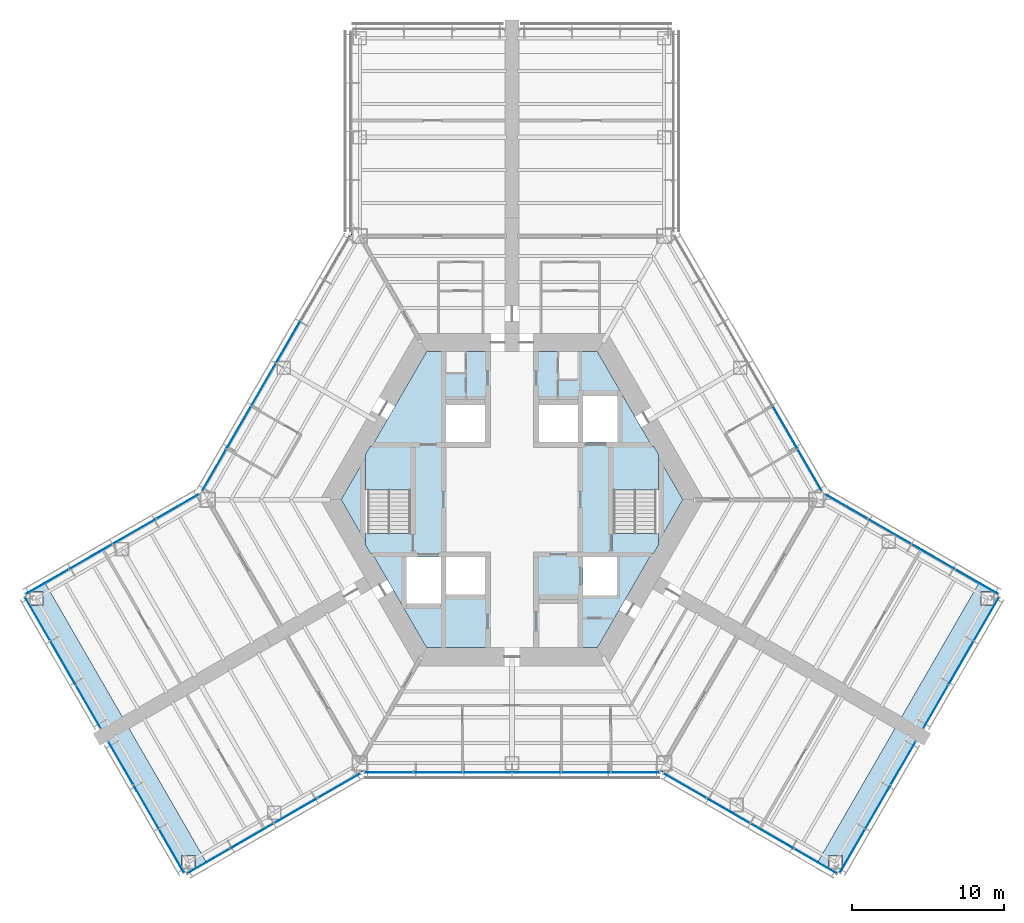
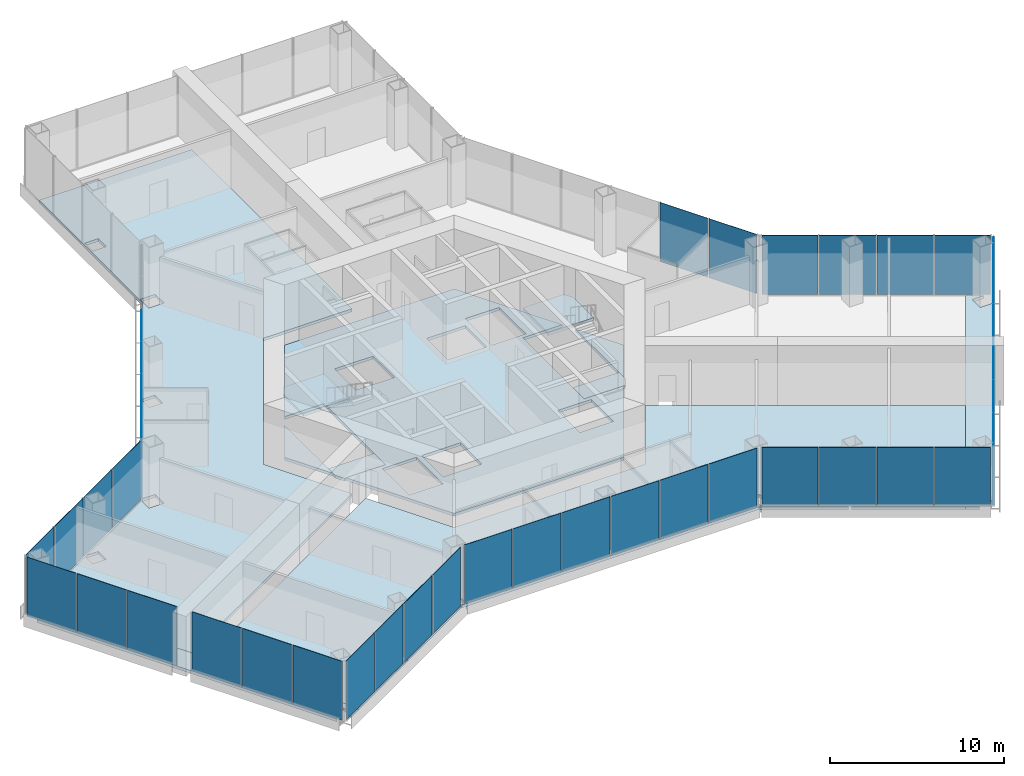
# One storey, part 9 of 16: 40 plates, 11 slabs, 13 elements without a shape of their own.
"""IFC4 building model written with IfcOpenShell, lengths in metres."""

from ifc_helpers import new_model, si_unit, direction, frame, origin, origin_2d, place, context, subcontext, project, spatial, polyline, rectangle, outline, extrude, material, layer, layer_set, type_object, element, aggregate, save


model = new_model("IFC4")

# Units and contexts
model_context = context("Model", 3, precision=1e-05, world=origin(), true_north=direction((0.0, 1.0)))
body_context = subcontext(model_context, "Body", "Model", "MODEL_VIEW")
ifc_project = project(units=[si_unit("LENGTHUNIT", "METRE"), si_unit("AREAUNIT", "SQUARE_METRE"), si_unit("VOLUMEUNIT", "CUBIC_METRE"), si_unit("PLANEANGLEUNIT", "RADIAN"), si_unit("MASSUNIT", "GRAM", prefix="KILO")], contexts=[model_context])

# Site, building, storey
site_placement = place(None, origin())
site = spatial("IfcSite", under=ifc_project, at=site_placement, CompositionType="ELEMENT")
building_placement = place(site_placement, origin())
building = spatial("IfcBuilding", under=site, at=building_placement, Name="Kasaneha Research Tower", CompositionType="ELEMENT")
storey_placement = place(building_placement, frame((0.0, 0.0, 26.800048828125)))
storey = spatial("IfcBuildingStorey", under=building, at=storey_placement, Name="L07", CompositionType="ELEMENT", Elevation=26.800048828125)

# Curtain wall, plates
ifc_material_1 = material(Name="Glass and aluminium", Category="aluminium")
curtain_wall_type = type_object("IfcCurtainWallType", Name="Wet laboratory curtain wall", PredefinedType="USERDEFINED", material=ifc_material_1)
curtain_wall_1_placement = place(storey_placement, origin())
curtain_wall_1 = element("IfcCurtainWall", 1, at=curtain_wall_1_placement, inside=storey, type_object=curtain_wall_type, Name="CW-L1 L07 run 01a", ObjectType="UNITISED CURTAIN WALL", PredefinedType="USERDEFINED")
ifc_material_2 = material(Name="Laminated double glazing", Category="glass")
ifc_layer_1 = layer(ifc_material_2, 0.030029296875)
ifc_layer_set_1 = layer_set([ifc_layer_1], Name="CW-L1 glazed panel")
plate_type = type_object("IfcPlateType", Name="CW-L1 glazed panel", PredefinedType="CURTAIN_PANEL", material=ifc_layer_set_1)
plate_1_placement = place(storey_placement, frame((-19.944091796875, -23.754638671875, 0.06494140625), z_axis=(0.0, 0.0, 1.0), x_axis=(0.866025411464, 0.499999986699, 0.0)))
plate_1 = element("IfcPlate", 2, at=plate_1_placement, type_object=plate_type, Name="CW-L1 panel 1", PredefinedType="CURTAIN_PANEL", context=body_context, shape_type="SweptSolid", body=[
    extrude(rectangle(XDim=3.21240234375, YDim=0.030029296875, at=origin_2d()), origin(), (0.0, 0.0, 1.0), 4.135009765625),
])
plate_2_placement = place(storey_placement, frame((-17.091796875, -22.107666015625, 0.06494140625), z_axis=(0.0, 0.0, 1.0), x_axis=(0.866025411464, 0.499999986699, 0.0)))
plate_2 = element("IfcPlate", 3, at=plate_2_placement, type_object=plate_type, Name="CW-L1 panel 2", PredefinedType="CURTAIN_PANEL", context=body_context, shape_type="SweptSolid", body=[
    extrude(rectangle(XDim=3.244873046875, YDim=0.030029296875, at=origin_2d()), origin(), (0.0, 0.0, 1.0), 4.135009765625),
])
plate_3_placement = place(storey_placement, frame((-14.225341796875, -20.452880859375, 0.06494140625), z_axis=(0.0, 0.0, 1.0), x_axis=(0.866025411464, 0.499999986699, 0.0)))
plate_3 = element("IfcPlate", 4, at=plate_3_placement, type_object=plate_type, Name="CW-L1 panel 3", PredefinedType="CURTAIN_PANEL", context=body_context, shape_type="SweptSolid", body=[
    extrude(rectangle(XDim=3.244873046875, YDim=0.030029296875, at=origin_2d()), origin(), (0.0, 0.0, 1.0), 4.135009765625),
])
plate_4_placement = place(storey_placement, frame((-11.373046875, -18.80615234375, 0.06494140625), z_axis=(0.0, 0.0, 1.0), x_axis=(0.866025411464, 0.499999986699, 0.0)))
plate_4 = element("IfcPlate", 5, at=plate_4_placement, type_object=plate_type, Name="CW-L1 panel 4", PredefinedType="CURTAIN_PANEL", context=body_context, shape_type="SweptSolid", body=[
    extrude(rectangle(XDim=3.21240234375, YDim=0.030029296875, at=origin_2d()), origin(), (0.0, 0.0, 1.0), 4.135009765625),
])
aggregate(curtain_wall_1, [plate_1, plate_2, plate_3, plate_4])

curtain_wall_2_placement = place(storey_placement, origin())
curtain_wall_2 = element("IfcCurtainWall", 6, at=curtain_wall_2_placement, inside=storey, type_object=curtain_wall_type, Name="CW-L1 L07 run 02a", ObjectType="UNITISED CURTAIN WALL", PredefinedType="USERDEFINED")
plate_5_placement = place(storey_placement, frame((-8.099853515625, -17.92041015625, 0.06494140625), z_axis=(0.0, 0.0, 1.0), x_axis=(1.0, 0.0, 0.0)))
plate_5 = element("IfcPlate", 7, at=plate_5_placement, type_object=plate_type, Name="CW-L1 panel 1", PredefinedType="CURTAIN_PANEL", context=body_context, shape_type="SweptSolid", body=[
    extrude(rectangle(XDim=3.14892578125, YDim=0.030029296875, at=origin_2d()), origin(), (0.0, 0.0, 1.0), 4.135009765625),
])
plate_6_placement = place(storey_placement, frame((-4.86962890625, -17.92041015625, 0.06494140625), z_axis=(0.0, 0.0, 1.0), x_axis=(1.0, 0.0, 0.0)))
plate_6 = element("IfcPlate", 8, at=plate_6_placement, type_object=plate_type, Name="CW-L1 panel 2", PredefinedType="CURTAIN_PANEL", context=body_context, shape_type="SweptSolid", body=[
    extrude(rectangle(XDim=3.181396484375, YDim=0.030029296875, at=origin_2d()), origin(), (0.0, 0.0, 1.0), 4.135009765625),
])
plate_7_placement = place(storey_placement, frame((-1.623291015625, -17.92041015625, 0.06494140625), z_axis=(0.0, 0.0, 1.0), x_axis=(1.0, 0.0, 0.0)))
plate_7 = element("IfcPlate", 9, at=plate_7_placement, type_object=plate_type, Name="CW-L1 panel 3", PredefinedType="CURTAIN_PANEL", context=body_context, shape_type="SweptSolid", body=[
    extrude(rectangle(XDim=3.181396484375, YDim=0.030029296875, at=origin_2d()), origin(), (0.0, 0.0, 1.0), 4.135009765625),
])
plate_8_placement = place(storey_placement, frame((1.623291015625, -17.92041015625, 0.06494140625), z_axis=(0.0, 0.0, 1.0), x_axis=(1.0, 0.0, 0.0)))
plate_8 = element("IfcPlate", 10, at=plate_8_placement, type_object=plate_type, Name="CW-L1 panel 4", PredefinedType="CURTAIN_PANEL", context=body_context, shape_type="SweptSolid", body=[
    extrude(rectangle(XDim=3.181396484375, YDim=0.030029296875, at=origin_2d()), origin(), (0.0, 0.0, 1.0), 4.135009765625),
])
plate_9_placement = place(storey_placement, frame((4.86962890625, -17.92041015625, 0.06494140625), z_axis=(0.0, 0.0, 1.0), x_axis=(1.0, 0.0, 0.0)))
plate_9 = element("IfcPlate", 11, at=plate_9_placement, type_object=plate_type, Name="CW-L1 panel 5", PredefinedType="CURTAIN_PANEL", context=body_context, shape_type="SweptSolid", body=[
    extrude(rectangle(XDim=3.181396484375, YDim=0.030029296875, at=origin_2d()), origin(), (0.0, 0.0, 1.0), 4.135009765625),
])
plate_10_placement = place(storey_placement, frame((8.099853515625, -17.92041015625, 0.06494140625), z_axis=(0.0, 0.0, 1.0), x_axis=(1.0, 0.0, 0.0)))
plate_10 = element("IfcPlate", 12, at=plate_10_placement, type_object=plate_type, Name="CW-L1 panel 6", PredefinedType="CURTAIN_PANEL", context=body_context, shape_type="SweptSolid", body=[
    extrude(rectangle(XDim=3.14892578125, YDim=0.030029296875, at=origin_2d()), origin(), (0.0, 0.0, 1.0), 4.135009765625),
])
aggregate(curtain_wall_2, [plate_5, plate_6, plate_7, plate_8, plate_9, plate_10])

curtain_wall_3_placement = place(storey_placement, origin())
curtain_wall_3 = element("IfcCurtainWall", 13, at=curtain_wall_3_placement, inside=storey, type_object=curtain_wall_type, Name="CW-L1 L07 run 03a", ObjectType="UNITISED CURTAIN WALL", PredefinedType="USERDEFINED")
plate_11_placement = place(storey_placement, frame((11.373046875, -18.80615234375, 0.06494140625), z_axis=(0.0, 0.0, 1.0), x_axis=(0.866025411464, -0.499999986699, 0.0)))
plate_11 = element("IfcPlate", 14, at=plate_11_placement, type_object=plate_type, Name="CW-L1 panel 1", PredefinedType="CURTAIN_PANEL", context=body_context, shape_type="SweptSolid", body=[
    extrude(rectangle(XDim=3.21240234375, YDim=0.030029296875, at=origin_2d()), origin(), (0.0, 0.0, 1.0), 4.135009765625),
])
plate_12_placement = place(storey_placement, frame((14.225341796875, -20.452880859375, 0.06494140625), z_axis=(0.0, 0.0, 1.0), x_axis=(0.866025411464, -0.499999986699, 0.0)))
plate_12 = element("IfcPlate", 15, at=plate_12_placement, type_object=plate_type, Name="CW-L1 panel 2", PredefinedType="CURTAIN_PANEL", context=body_context, shape_type="SweptSolid", body=[
    extrude(rectangle(XDim=3.244873046875, YDim=0.030029296875, at=origin_2d()), origin(), (0.0, 0.0, 1.0), 4.135009765625),
])
plate_13_placement = place(storey_placement, frame((17.091796875, -22.107666015625, 0.06494140625), z_axis=(0.0, 0.0, 1.0), x_axis=(0.866025411464, -0.499999986699, 0.0)))
plate_13 = element("IfcPlate", 16, at=plate_13_placement, type_object=plate_type, Name="CW-L1 panel 3", PredefinedType="CURTAIN_PANEL", context=body_context, shape_type="SweptSolid", body=[
    extrude(rectangle(XDim=3.244873046875, YDim=0.030029296875, at=origin_2d()), origin(), (0.0, 0.0, 1.0), 4.135009765625),
])
plate_14_placement = place(storey_placement, frame((19.944091796875, -23.754638671875, 0.06494140625), z_axis=(0.0, 0.0, 1.0), x_axis=(0.866025411464, -0.499999986699, 0.0)))
plate_14 = element("IfcPlate", 17, at=plate_14_placement, type_object=plate_type, Name="CW-L1 panel 4", PredefinedType="CURTAIN_PANEL", context=body_context, shape_type="SweptSolid", body=[
    extrude(rectangle(XDim=3.21240234375, YDim=0.030029296875, at=origin_2d()), origin(), (0.0, 0.0, 1.0), 4.135009765625),
])
aggregate(curtain_wall_3, [plate_11, plate_12, plate_13, plate_14])

curtain_wall_4_placement = place(storey_placement, origin())
curtain_wall_4 = element("IfcCurtainWall", 18, at=curtain_wall_4_placement, inside=storey, type_object=curtain_wall_type, Name="CW-L1 L07 run 04a", ObjectType="UNITISED CURTAIN WALL", PredefinedType="USERDEFINED")
plate_15_placement = place(storey_placement, frame((22.37353515625, -23.0888671875, 0.06494140625), z_axis=(0.0, 0.0, 1.0), x_axis=(0.500000011442, 0.866025397178, 0.0)))
plate_15 = element("IfcPlate", 19, at=plate_15_placement, type_object=plate_type, Name="CW-L1 panel 1", PredefinedType="CURTAIN_PANEL", context=body_context, shape_type="SweptSolid", body=[
    extrude(rectangle(XDim=3.25244140625, YDim=0.030029296875, at=origin_2d()), origin(), (0.0, 0.0, 1.0), 4.135009765625),
])
plate_16_placement = place(storey_placement, frame((24.04052734375, -20.20166015625, 0.06494140625), z_axis=(0.0, 0.0, 1.0), x_axis=(0.500000011442, 0.866025397178, 0.0)))
plate_16 = element("IfcPlate", 20, at=plate_16_placement, type_object=plate_type, Name="CW-L1 panel 2", PredefinedType="CURTAIN_PANEL", context=body_context, shape_type="SweptSolid", body=[
    extrude(rectangle(XDim=3.284912109375, YDim=0.030029296875, at=origin_2d()), origin(), (0.0, 0.0, 1.0), 4.135009765625),
])
plate_17_placement = place(storey_placement, frame((25.707275390625, -17.314697265625, 0.06494140625), z_axis=(0.0, 0.0, 1.0), x_axis=(0.500000011442, 0.866025397178, 0.0)))
plate_17 = element("IfcPlate", 21, at=plate_17_placement, type_object=plate_type, Name="CW-L1 panel 3", PredefinedType="CURTAIN_PANEL", context=body_context, shape_type="SweptSolid", body=[
    extrude(rectangle(XDim=3.25244140625, YDim=0.030029296875, at=origin_2d()), origin(), (0.0, 0.0, 1.0), 4.135009765625),
])
aggregate(curtain_wall_4, [plate_15, plate_16, plate_17])

curtain_wall_5_placement = place(storey_placement, origin())
curtain_wall_5 = element("IfcCurtainWall", 22, at=curtain_wall_5_placement, inside=storey, type_object=curtain_wall_type, Name="CW-L1 L07 run 05a", ObjectType="UNITISED CURTAIN WALL", PredefinedType="USERDEFINED")
plate_18_placement = place(storey_placement, frame((27.8486328125, -13.60595703125, 0.06494140625), z_axis=(0.0, 0.0, 1.0), x_axis=(0.500000011442, 0.866025397178, 0.0)))
plate_18 = element("IfcPlate", 23, at=plate_18_placement, type_object=plate_type, Name="CW-L1 panel 1", PredefinedType="CURTAIN_PANEL", context=body_context, shape_type="SweptSolid", body=[
    extrude(rectangle(XDim=3.25244140625, YDim=0.030029296875, at=origin_2d()), origin(), (0.0, 0.0, 1.0), 4.135009765625),
])
plate_19_placement = place(storey_placement, frame((29.515380859375, -10.71875, 0.06494140625), z_axis=(0.0, 0.0, 1.0), x_axis=(0.500000011442, 0.866025397178, 0.0)))
plate_19 = element("IfcPlate", 24, at=plate_19_placement, type_object=plate_type, Name="CW-L1 panel 2", PredefinedType="CURTAIN_PANEL", context=body_context, shape_type="SweptSolid", body=[
    extrude(rectangle(XDim=3.284912109375, YDim=0.030029296875, at=origin_2d()), origin(), (0.0, 0.0, 1.0), 4.135009765625),
])
plate_20_placement = place(storey_placement, frame((31.182373046875, -7.83154296875, 0.06494140625), z_axis=(0.0, 0.0, 1.0), x_axis=(0.500000011442, 0.866025397178, 0.0)))
plate_20 = element("IfcPlate", 25, at=plate_20_placement, type_object=plate_type, Name="CW-L1 panel 3", PredefinedType="CURTAIN_PANEL", context=body_context, shape_type="SweptSolid", body=[
    extrude(rectangle(XDim=3.25244140625, YDim=0.030029296875, at=origin_2d()), origin(), (0.0, 0.0, 1.0), 4.135009765625),
])
aggregate(curtain_wall_5, [plate_18, plate_19, plate_20])

curtain_wall_6_placement = place(storey_placement, origin())
curtain_wall_6 = element("IfcCurtainWall", 26, at=curtain_wall_6_placement, inside=storey, type_object=curtain_wall_type, Name="CW-L1 L07 run 06a", ObjectType="UNITISED CURTAIN WALL", PredefinedType="USERDEFINED")
plate_21_placement = place(storey_placement, frame((30.544189453125, -5.394775390625, 0.06494140625), z_axis=(0.0, 0.0, 1.0), x_axis=(-0.866025411464, 0.499999986699, 0.0)))
plate_21 = element("IfcPlate", 27, at=plate_21_placement, type_object=plate_type, Name="CW-L1 panel 1", PredefinedType="CURTAIN_PANEL", context=body_context, shape_type="SweptSolid", body=[
    extrude(rectangle(XDim=3.21240234375, YDim=0.030029296875, at=origin_2d()), origin(), (0.0, 0.0, 1.0), 4.135009765625),
])
plate_22_placement = place(storey_placement, frame((27.69189453125, -3.748046875, 0.06494140625), z_axis=(0.0, 0.0, 1.0), x_axis=(-0.866025411464, 0.499999986699, 0.0)))
plate_22 = element("IfcPlate", 28, at=plate_22_placement, type_object=plate_type, Name="CW-L1 panel 2", PredefinedType="CURTAIN_PANEL", context=body_context, shape_type="SweptSolid", body=[
    extrude(rectangle(XDim=3.244873046875, YDim=0.030029296875, at=origin_2d()), origin(), (0.0, 0.0, 1.0), 4.135009765625),
])
plate_23_placement = place(storey_placement, frame((24.825439453125, -2.093017578125, 0.06494140625), z_axis=(0.0, 0.0, 1.0), x_axis=(-0.866025411464, 0.499999986699, 0.0)))
plate_23 = element("IfcPlate", 29, at=plate_23_placement, type_object=plate_type, Name="CW-L1 panel 3", PredefinedType="CURTAIN_PANEL", context=body_context, shape_type="SweptSolid", body=[
    extrude(rectangle(XDim=3.244873046875, YDim=0.030029296875, at=origin_2d()), origin(), (0.0, 0.0, 1.0), 4.135009765625),
])
plate_24_placement = place(storey_placement, frame((21.97314453125, -0.4462890625, 0.06494140625), z_axis=(0.0, 0.0, 1.0), x_axis=(-0.866025411464, 0.499999986699, 0.0)))
plate_24 = element("IfcPlate", 30, at=plate_24_placement, type_object=plate_type, Name="CW-L1 panel 4", PredefinedType="CURTAIN_PANEL", context=body_context, shape_type="SweptSolid", body=[
    extrude(rectangle(XDim=3.21240234375, YDim=0.030029296875, at=origin_2d()), origin(), (0.0, 0.0, 1.0), 4.135009765625),
])
aggregate(curtain_wall_6, [plate_21, plate_22, plate_23, plate_24])

curtain_wall_7_placement = place(storey_placement, origin())
curtain_wall_7 = element("IfcCurtainWall", 31, at=curtain_wall_7_placement, inside=storey, type_object=curtain_wall_type, Name="CW-L1 L07 run 07a", ObjectType="UNITISED CURTAIN WALL", PredefinedType="USERDEFINED")
plate_25_placement = place(storey_placement, frame((19.569580078125, 1.945556640625, 0.06494140625), z_axis=(0.0, 0.0, 1.0), x_axis=(-0.49999996188, 0.866025425793, 0.0)))
plate_25 = element("IfcPlate", 32, at=plate_25_placement, type_object=plate_type, Name="CW-L1 panel 1", PredefinedType="CURTAIN_PANEL", context=body_context, shape_type="SweptSolid", body=[
    extrude(rectangle(XDim=3.14892578125, YDim=0.030029296875, at=origin_2d()), origin(), (0.0, 0.0, 1.0), 4.135009765625),
])
plate_26_placement = place(storey_placement, frame((17.954345703125, 4.7431640625, 0.06494140625), z_axis=(0.0, 0.0, 1.0), x_axis=(-0.49999996188, 0.866025425793, 0.0)))
plate_26 = element("IfcPlate", 33, at=plate_26_placement, type_object=plate_type, Name="CW-L1 panel 2", PredefinedType="CURTAIN_PANEL", context=body_context, shape_type="SweptSolid", body=[
    extrude(rectangle(XDim=3.181396484375, YDim=0.030029296875, at=origin_2d()), origin(), (0.0, 0.0, 1.0), 4.135009765625),
])
aggregate(curtain_wall_7, [plate_25, plate_26])

curtain_wall_8_placement = place(storey_placement, origin())
curtain_wall_8 = element("IfcCurtainWall", 34, at=curtain_wall_8_placement, inside=storey, type_object=curtain_wall_type, Name="CW-L1 L07 run 12a", ObjectType="UNITISED CURTAIN WALL", PredefinedType="USERDEFINED")
plate_27_placement = place(storey_placement, frame((-14.7080078125, 10.365966796875, 0.06494140625), z_axis=(0.0, 0.0, 1.0), x_axis=(-0.49999996188, -0.866025425793, 0.0)))
plate_27 = element("IfcPlate", 35, at=plate_27_placement, type_object=plate_type, Name="CW-L1 panel 3", PredefinedType="CURTAIN_PANEL", context=body_context, shape_type="SweptSolid", body=[
    extrude(rectangle(XDim=3.181396484375, YDim=0.030029296875, at=origin_2d()), origin(), (0.0, 0.0, 1.0), 4.135009765625),
])
plate_28_placement = place(storey_placement, frame((-16.331298828125, 7.554443359375, 0.06494140625), z_axis=(0.0, 0.0, 1.0), x_axis=(-0.49999996188, -0.866025425793, 0.0)))
plate_28 = element("IfcPlate", 36, at=plate_28_placement, type_object=plate_type, Name="CW-L1 panel 4", PredefinedType="CURTAIN_PANEL", context=body_context, shape_type="SweptSolid", body=[
    extrude(rectangle(XDim=3.181396484375, YDim=0.030029296875, at=origin_2d()), origin(), (0.0, 0.0, 1.0), 4.135009765625),
])
plate_29_placement = place(storey_placement, frame((-17.954345703125, 4.7431640625, 0.06494140625), z_axis=(0.0, 0.0, 1.0), x_axis=(-0.49999996188, -0.866025425793, 0.0)))
plate_29 = element("IfcPlate", 37, at=plate_29_placement, type_object=plate_type, Name="CW-L1 panel 5", PredefinedType="CURTAIN_PANEL", context=body_context, shape_type="SweptSolid", body=[
    extrude(rectangle(XDim=3.181396484375, YDim=0.030029296875, at=origin_2d()), origin(), (0.0, 0.0, 1.0), 4.135009765625),
])
plate_30_placement = place(storey_placement, frame((-19.569580078125, 1.945556640625, 0.06494140625), z_axis=(0.0, 0.0, 1.0), x_axis=(-0.49999996188, -0.866025425793, 0.0)))
plate_30 = element("IfcPlate", 38, at=plate_30_placement, type_object=plate_type, Name="CW-L1 panel 6", PredefinedType="CURTAIN_PANEL", context=body_context, shape_type="SweptSolid", body=[
    extrude(rectangle(XDim=3.14892578125, YDim=0.030029296875, at=origin_2d()), origin(), (0.0, 0.0, 1.0), 4.135009765625),
])
aggregate(curtain_wall_8, [plate_27, plate_28, plate_29, plate_30])

curtain_wall_9_placement = place(storey_placement, origin())
curtain_wall_9 = element("IfcCurtainWall", 39, at=curtain_wall_9_placement, inside=storey, type_object=curtain_wall_type, Name="CW-L1 L07 run 13a", ObjectType="UNITISED CURTAIN WALL", PredefinedType="USERDEFINED")
plate_31_placement = place(storey_placement, frame((-21.97314453125, -0.4462890625, 0.06494140625), z_axis=(0.0, 0.0, 1.0), x_axis=(-0.866025411464, -0.499999986699, 0.0)))
plate_31 = element("IfcPlate", 40, at=plate_31_placement, type_object=plate_type, Name="CW-L1 panel 1", PredefinedType="CURTAIN_PANEL", context=body_context, shape_type="SweptSolid", body=[
    extrude(rectangle(XDim=3.21240234375, YDim=0.030029296875, at=origin_2d()), origin(), (0.0, 0.0, 1.0), 4.135009765625),
])
plate_32_placement = place(storey_placement, frame((-24.825439453125, -2.093017578125, 0.06494140625), z_axis=(0.0, 0.0, 1.0), x_axis=(-0.866025411464, -0.499999986699, 0.0)))
plate_32 = element("IfcPlate", 41, at=plate_32_placement, type_object=plate_type, Name="CW-L1 panel 2", PredefinedType="CURTAIN_PANEL", context=body_context, shape_type="SweptSolid", body=[
    extrude(rectangle(XDim=3.244873046875, YDim=0.030029296875, at=origin_2d()), origin(), (0.0, 0.0, 1.0), 4.135009765625),
])
plate_33_placement = place(storey_placement, frame((-27.69189453125, -3.748046875, 0.06494140625), z_axis=(0.0, 0.0, 1.0), x_axis=(-0.866025411464, -0.499999986699, 0.0)))
plate_33 = element("IfcPlate", 42, at=plate_33_placement, type_object=plate_type, Name="CW-L1 panel 3", PredefinedType="CURTAIN_PANEL", context=body_context, shape_type="SweptSolid", body=[
    extrude(rectangle(XDim=3.244873046875, YDim=0.030029296875, at=origin_2d()), origin(), (0.0, 0.0, 1.0), 4.135009765625),
])
plate_34_placement = place(storey_placement, frame((-30.544189453125, -5.394775390625, 0.06494140625), z_axis=(0.0, 0.0, 1.0), x_axis=(-0.866025411464, -0.499999986699, 0.0)))
plate_34 = element("IfcPlate", 43, at=plate_34_placement, type_object=plate_type, Name="CW-L1 panel 4", PredefinedType="CURTAIN_PANEL", context=body_context, shape_type="SweptSolid", body=[
    extrude(rectangle(XDim=3.21240234375, YDim=0.030029296875, at=origin_2d()), origin(), (0.0, 0.0, 1.0), 4.135009765625),
])
aggregate(curtain_wall_9, [plate_31, plate_32, plate_33, plate_34])

curtain_wall_10_placement = place(storey_placement, origin())
curtain_wall_10 = element("IfcCurtainWall", 44, at=curtain_wall_10_placement, inside=storey, type_object=curtain_wall_type, Name="CW-L1 L07 run 14a", ObjectType="UNITISED CURTAIN WALL", PredefinedType="USERDEFINED")
plate_35_placement = place(storey_placement, frame((-31.182373046875, -7.83154296875, 0.06494140625), z_axis=(0.0, 0.0, 1.0), x_axis=(0.500000011442, -0.866025397178, 0.0)))
plate_35 = element("IfcPlate", 45, at=plate_35_placement, type_object=plate_type, Name="CW-L1 panel 1", PredefinedType="CURTAIN_PANEL", context=body_context, shape_type="SweptSolid", body=[
    extrude(rectangle(XDim=3.25244140625, YDim=0.030029296875, at=origin_2d()), origin(), (0.0, 0.0, 1.0), 4.135009765625),
])
plate_36_placement = place(storey_placement, frame((-29.515380859375, -10.71875, 0.06494140625), z_axis=(0.0, 0.0, 1.0), x_axis=(0.500000011442, -0.866025397178, 0.0)))
plate_36 = element("IfcPlate", 46, at=plate_36_placement, type_object=plate_type, Name="CW-L1 panel 2", PredefinedType="CURTAIN_PANEL", context=body_context, shape_type="SweptSolid", body=[
    extrude(rectangle(XDim=3.284912109375, YDim=0.030029296875, at=origin_2d()), origin(), (0.0, 0.0, 1.0), 4.135009765625),
])
plate_37_placement = place(storey_placement, frame((-27.8486328125, -13.60595703125, 0.06494140625), z_axis=(0.0, 0.0, 1.0), x_axis=(0.500000011442, -0.866025397178, 0.0)))
plate_37 = element("IfcPlate", 47, at=plate_37_placement, type_object=plate_type, Name="CW-L1 panel 3", PredefinedType="CURTAIN_PANEL", context=body_context, shape_type="SweptSolid", body=[
    extrude(rectangle(XDim=3.25244140625, YDim=0.030029296875, at=origin_2d()), origin(), (0.0, 0.0, 1.0), 4.135009765625),
])
aggregate(curtain_wall_10, [plate_35, plate_36, plate_37])

curtain_wall_11_placement = place(storey_placement, origin())
curtain_wall_11 = element("IfcCurtainWall", 48, at=curtain_wall_11_placement, inside=storey, type_object=curtain_wall_type, Name="CW-L1 L07 run 15a", ObjectType="UNITISED CURTAIN WALL", PredefinedType="USERDEFINED")
plate_38_placement = place(storey_placement, frame((-25.707275390625, -17.314697265625, 0.06494140625), z_axis=(0.0, 0.0, 1.0), x_axis=(0.500000011442, -0.866025397178, 0.0)))
plate_38 = element("IfcPlate", 49, at=plate_38_placement, type_object=plate_type, Name="CW-L1 panel 1", PredefinedType="CURTAIN_PANEL", context=body_context, shape_type="SweptSolid", body=[
    extrude(rectangle(XDim=3.25244140625, YDim=0.030029296875, at=origin_2d()), origin(), (0.0, 0.0, 1.0), 4.135009765625),
])
plate_39_placement = place(storey_placement, frame((-24.04052734375, -20.20166015625, 0.06494140625), z_axis=(0.0, 0.0, 1.0), x_axis=(0.500000011442, -0.866025397178, 0.0)))
plate_39 = element("IfcPlate", 50, at=plate_39_placement, type_object=plate_type, Name="CW-L1 panel 2", PredefinedType="CURTAIN_PANEL", context=body_context, shape_type="SweptSolid", body=[
    extrude(rectangle(XDim=3.284912109375, YDim=0.030029296875, at=origin_2d()), origin(), (0.0, 0.0, 1.0), 4.135009765625),
])
plate_40_placement = place(storey_placement, frame((-22.37353515625, -23.0888671875, 0.06494140625), z_axis=(0.0, 0.0, 1.0), x_axis=(0.500000011442, -0.866025397178, 0.0)))
plate_40 = element("IfcPlate", 51, at=plate_40_placement, type_object=plate_type, Name="CW-L1 panel 3", PredefinedType="CURTAIN_PANEL", context=body_context, shape_type="SweptSolid", body=[
    extrude(rectangle(XDim=3.25244140625, YDim=0.030029296875, at=origin_2d()), origin(), (0.0, 0.0, 1.0), 4.135009765625),
])
aggregate(curtain_wall_11, [plate_38, plate_39, plate_40])

# Slabs
ifc_material_3 = material(Name="Concrete Fc24", Category="concrete")
ifc_layer_2 = layer(ifc_material_3, 0.199951171875)
ifc_layer_set_2 = layer_set([ifc_layer_2], Name="Core floor slab 200")
slab_type_1 = type_object("IfcSlabType", Name="Core floor slab 200", PredefinedType="FLOOR", material=ifc_layer_set_2)
slab_1_placement = place(storey_placement, frame((0.0, 0.0, -0.199951171875)))
element("IfcSlab", 52, at=slab_1_placement, inside=storey, type_object=slab_type_1, Name="Core slab L07", PredefinedType="FLOOR", context=body_context, shape_type="SweptSolid", body=[
    extrude(outline(polyline([(-11.2294921875, 0.0), (-9.625, 2.779052734375), (-9.625, -2.779052734375), (-11.2294921875, 0.0)])), origin(), (0.0, 0.0, 1.0), 0.199951171875),
])
slab_2_placement = place(storey_placement, frame((0.0, 0.0, -0.199951171875)))
element("IfcSlab", 53, at=slab_2_placement, inside=storey, type_object=slab_type_1, Name="Core slab L07", PredefinedType="FLOOR", context=body_context, shape_type="SweptSolid", body=[
    extrude(outline(polyline([(-5.61474609375, 9.72509765625), (5.61474609375, 9.72509765625), (9.1943359375, 3.52490234375), (6.574951171875, 3.52490234375), (6.574951171875, -3.52490234375), (9.1943359375, -3.52490234375), (5.61474609375, -9.72509765625), (-5.61474609375, -9.72509765625), (-9.1943359375, -3.52490234375), (-6.574951171875, -3.52490234375), (-6.574951171875, 3.52490234375), (-9.1943359375, 3.52490234375), (-5.61474609375, 9.72509765625)]), holes=[polyline([(-6.925048828125, -3.77490234375), (-6.925048828125, -6.824951171875), (-4.675048828125, -6.824951171875), (-4.675048828125, -3.77490234375), (-6.925048828125, -3.77490234375)]), polyline([(4.675048828125, -3.77490234375), (4.675048828125, -6.300048828125), (6.89990234375, -6.300048828125), (6.89990234375, -3.77490234375), (4.675048828125, -3.77490234375)]), polyline([(-4.324951171875, -3.77490234375), (-4.324951171875, -6.22509765625), (-1.77490234375, -6.22509765625), (-1.77490234375, -3.77490234375), (-4.324951171875, -3.77490234375)]), polyline([(-4.324951171875, 6.22509765625), (-4.324951171875, 3.77490234375), (-1.77490234375, 3.77490234375), (-1.77490234375, 6.22509765625), (-4.324951171875, 6.22509765625)]), polyline([(1.77490234375, 6.22509765625), (1.77490234375, 3.77490234375), (4.324951171875, 3.77490234375), (4.324951171875, 6.22509765625), (1.77490234375, 6.22509765625)]), polyline([(4.675048828125, 6.824951171875), (4.675048828125, 3.77490234375), (6.925048828125, 3.77490234375), (6.925048828125, 6.824951171875), (4.675048828125, 6.824951171875)])]), origin(), (0.0, 0.0, 1.0), 0.199951171875),
])
slab_3_placement = place(storey_placement, frame((0.0, 0.0, -0.199951171875)))
element("IfcSlab", 54, at=slab_3_placement, inside=storey, type_object=slab_type_1, Name="Core slab L07", PredefinedType="FLOOR", context=body_context, shape_type="SweptSolid", body=[
    extrude(outline(polyline([(11.2294921875, 0.0), (9.625, -2.779052734375), (9.625, 2.779052734375), (11.2294921875, 0.0)])), origin(), (0.0, 0.0, 1.0), 0.199951171875),
])
ifc_material_4 = material(Name="Concrete Fc24", Category="concrete")
ifc_layer_3 = layer(ifc_material_4, 0.199951171875)
ifc_layer_set_3 = layer_set([ifc_layer_3], Name="Floor slab 200")
slab_type_2 = type_object("IfcSlabType", Name="Floor slab 200", PredefinedType="FLOOR", material=ifc_layer_set_3)
slab_4_placement = place(storey_placement, frame((0.0, 0.0, -0.199951171875)))
element("IfcSlab", 55, at=slab_4_placement, inside=storey, type_object=slab_type_2, Name="Floor slab L07 1", PredefinedType="FLOOR", context=body_context, shape_type="SweptSolid", body=[
    extrude(outline(polyline([(-25.167236328125, -15.050048828125), (-25.15869140625, -15.044921875), (-20.108642578125, -23.791748046875), (-20.808349609375, -24.19580078125), (-20.808349609375, -23.37060546875), (-21.708251953125, -23.37060546875), (-21.708251953125, -24.14111328125), (-31.633544921875, -6.949951171875), (-30.808349609375, -6.949951171875), (-30.808349609375, -6.050048828125), (-31.578857421875, -6.050048828125), (-30.65869140625, -5.518798828125), (-25.608642578125, -14.265625), (-25.6171875, -14.2705078125), (-25.167236328125, -15.050048828125)])), origin(), (0.0, 0.0, 1.0), 0.199951171875),
])
slab_5_placement = place(storey_placement, frame((0.0, 0.0, -0.199951171875)))
element("IfcSlab", 56, at=slab_5_placement, inside=storey, type_object=slab_type_2, Name="Floor slab L07 2", PredefinedType="FLOOR", context=body_context, shape_type="SweptSolid", body=[
    extrude(outline(polyline([(-25.17919921875, -2.800048828125), (-25.94970703125, -2.800048828125), (-20.5, 0.346435546875), (-20.5, -0.5), (-19.5, -0.5), (-19.5, 0.5), (-20.346435546875, 0.5), (-15.449951171875, 8.980712890625), (-15.449951171875, 8.210205078125), (-14.550048828125, 8.210205078125), (-14.550048828125, 9.1103515625), (-15.375244140625, 9.1103515625), (-10.550048828125, 17.4677734375), (-10.550048828125, 29.310546875), (-0.449951171875, 29.310546875), (-0.449951171875, 10.925048828125), (-6.3076171875, 10.925048828125), (-12.614990234375, 0.0), (-9.686279296875, -5.07275390625), (-25.608642578125, -14.265625), (-30.65869140625, -5.518798828125), (-26.0791015625, -2.874755859375), (-26.0791015625, -3.699951171875), (-25.17919921875, -3.699951171875), (-25.17919921875, -2.800048828125)]), holes=[polyline([(-9.5, 16.820556640625), (-9.5, 17.820556640625), (-10.5, 17.820556640625), (-10.5, 16.820556640625), (-9.5, 16.820556640625)]), polyline([(-10.449951171875, 23.37060546875), (-9.550048828125, 23.37060546875), (-9.550048828125, 24.2705078125), (-10.449951171875, 24.2705078125), (-10.449951171875, 23.37060546875)])]), origin(), (0.0, 0.0, 1.0), 0.199951171875),
])
slab_6_placement = place(storey_placement, frame((0.0, 0.0, -0.199951171875)))
element("IfcSlab", 57, at=slab_6_placement, inside=storey, type_object=slab_type_2, Name="Floor slab L07 4", PredefinedType="FLOOR", context=body_context, shape_type="SweptSolid", body=[
    extrude(outline(polyline([(-6.3076171875, -10.925048828125), (6.3076171875, -10.925048828125), (9.236328125, -5.852294921875), (25.15869140625, -15.044921875), (20.108642578125, -23.791748046875), (14.442626953125, -20.5205078125), (15.213134765625, -20.5205078125), (15.213134765625, -19.62060546875), (14.313232421875, -19.62060546875), (14.313232421875, -20.44580078125), (9.8525390625, -17.87060546875), (-9.8525390625, -17.87060546875), (-15.17919921875, -20.94580078125), (-15.17919921875, -20.12060546875), (-16.0791015625, -20.12060546875), (-16.0791015625, -21.0205078125), (-15.30859375, -21.0205078125), (-20.108642578125, -23.791748046875), (-25.15869140625, -15.044921875), (-9.236328125, -5.852294921875), (-6.3076171875, -10.925048828125)]), holes=[polyline([(-0.449951171875, -17.7705078125), (0.449951171875, -17.7705078125), (0.449951171875, -16.87060546875), (-0.449951171875, -16.87060546875), (-0.449951171875, -17.7705078125)]), polyline([(-9.5, -17.820556640625), (-9.5, -16.820556640625), (-10.5, -16.820556640625), (-10.5, -17.820556640625), (-9.5, -17.820556640625)]), polyline([(10.5, -17.820556640625), (10.5, -16.820556640625), (9.5, -16.820556640625), (9.5, -17.820556640625), (10.5, -17.820556640625)])]), origin(), (0.0, 0.0, 1.0), 0.199951171875),
])
slab_7_placement = place(storey_placement, frame((0.0, 0.0, -0.199951171875)))
element("IfcSlab", 58, at=slab_7_placement, inside=storey, type_object=slab_type_2, Name="Floor slab L07 6", PredefinedType="FLOOR", context=body_context, shape_type="SweptSolid", body=[
    extrude(outline(polyline([(25.167236328125, -15.050048828125), (25.6171875, -14.2705078125), (25.608642578125, -14.265625), (30.65869140625, -5.518798828125), (31.578857421875, -6.050048828125), (30.808349609375, -6.050048828125), (30.808349609375, -6.949951171875), (31.633544921875, -6.949951171875), (21.708251953125, -24.14111328125), (21.708251953125, -23.37060546875), (20.808349609375, -23.37060546875), (20.808349609375, -24.19580078125), (20.108642578125, -23.791748046875), (25.15869140625, -15.044921875), (25.167236328125, -15.050048828125)])), origin(), (0.0, 0.0, 1.0), 0.199951171875),
])

# Stair, slabs
ifc_material_5 = material(Name="Concrete Fc24", Category="concrete")
stair_type = type_object("IfcStairType", Name="Half-turn stair 24 risers", PredefinedType="HALF_TURN_STAIR", material=ifc_material_5)
stair_1_placement = place(storey_placement, origin())
stair_1 = element("IfcStair", 59, at=stair_1_placement, inside=storey, type_object=stair_type, Name="Stair 1 L07", PredefinedType="HALF_TURN_STAIR")
ifc_material_6 = material(Name="Concrete Fc24", Category="concrete")
ifc_layer_4 = layer(ifc_material_6, 0.199951171875)
ifc_layer_set_4 = layer_set([ifc_layer_4], Name="Stair 1 landing 200")
slab_type_3 = type_object("IfcSlabType", Name="Stair 1 landing 200", PredefinedType="LANDING", material=ifc_layer_set_4)
slab_8_placement = place(storey_placement, frame((0.0, 0.0, -0.199951171875)))
slab_8 = element("IfcSlab", 60, at=slab_8_placement, type_object=slab_type_3, Name="ST1-24R landing 1", PredefinedType="LANDING", context=body_context, shape_type="SweptSolid", body=[
    extrude(outline(polyline([(9.309814453125, -3.52490234375), (6.574951171875, -3.52490234375), (6.574951171875, -2.22509765625), (9.625, -2.22509765625), (9.625, -2.97900390625), (9.309814453125, -3.52490234375)])), origin(), (0.0, 0.0, 1.0), 0.199951171875),
])
slab_9_placement = place(storey_placement, frame((0.0, 0.0, 1.89990234375)))
slab_9 = element("IfcSlab", 61, at=slab_9_placement, type_object=slab_type_3, Name="ST1-24R landing 2", PredefinedType="LANDING", context=body_context, shape_type="SweptSolid", body=[
    extrude(outline(polyline([(6.574951171875, 3.52490234375), (9.309814453125, 3.52490234375), (9.625, 2.97900390625), (9.625, 0.635009765625), (6.574951171875, 0.635009765625), (6.574951171875, 3.52490234375)])), origin(), (0.0, 0.0, 1.0), 0.199951171875),
])
aggregate(stair_1, [slab_8, slab_9])

stair_2_placement = place(storey_placement, origin())
stair_2 = element("IfcStair", 62, at=stair_2_placement, inside=storey, type_object=stair_type, Name="Stair 2 L07", PredefinedType="HALF_TURN_STAIR")
ifc_material_7 = material(Name="Concrete Fc24", Category="concrete")
ifc_layer_5 = layer(ifc_material_7, 0.199951171875)
ifc_layer_set_5 = layer_set([ifc_layer_5], Name="Stair 2 landing 200")
slab_type_4 = type_object("IfcSlabType", Name="Stair 2 landing 200", PredefinedType="LANDING", material=ifc_layer_set_5)
slab_10_placement = place(storey_placement, frame((0.0, 0.0, -0.199951171875)))
slab_10 = element("IfcSlab", 63, at=slab_10_placement, type_object=slab_type_4, Name="ST2-24R landing 1", PredefinedType="LANDING", context=body_context, shape_type="SweptSolid", body=[
    extrude(outline(polyline([(-6.574951171875, -3.52490234375), (-9.309814453125, -3.52490234375), (-9.625, -2.97900390625), (-9.625, -2.22509765625), (-6.574951171875, -2.22509765625), (-6.574951171875, -3.52490234375)])), origin(), (0.0, 0.0, 1.0), 0.199951171875),
])
slab_11_placement = place(storey_placement, frame((0.0, 0.0, 1.89990234375)))
slab_11 = element("IfcSlab", 64, at=slab_11_placement, type_object=slab_type_4, Name="ST2-24R landing 2", PredefinedType="LANDING", context=body_context, shape_type="SweptSolid", body=[
    extrude(outline(polyline([(-6.574951171875, 0.635009765625), (-9.625, 0.635009765625), (-9.625, 2.97900390625), (-9.309814453125, 3.52490234375), (-6.574951171875, 3.52490234375), (-6.574951171875, 0.635009765625)])), origin(), (0.0, 0.0, 1.0), 0.199951171875),
])
aggregate(stair_2, [slab_10, slab_11])

save(model, "model.ifc")
